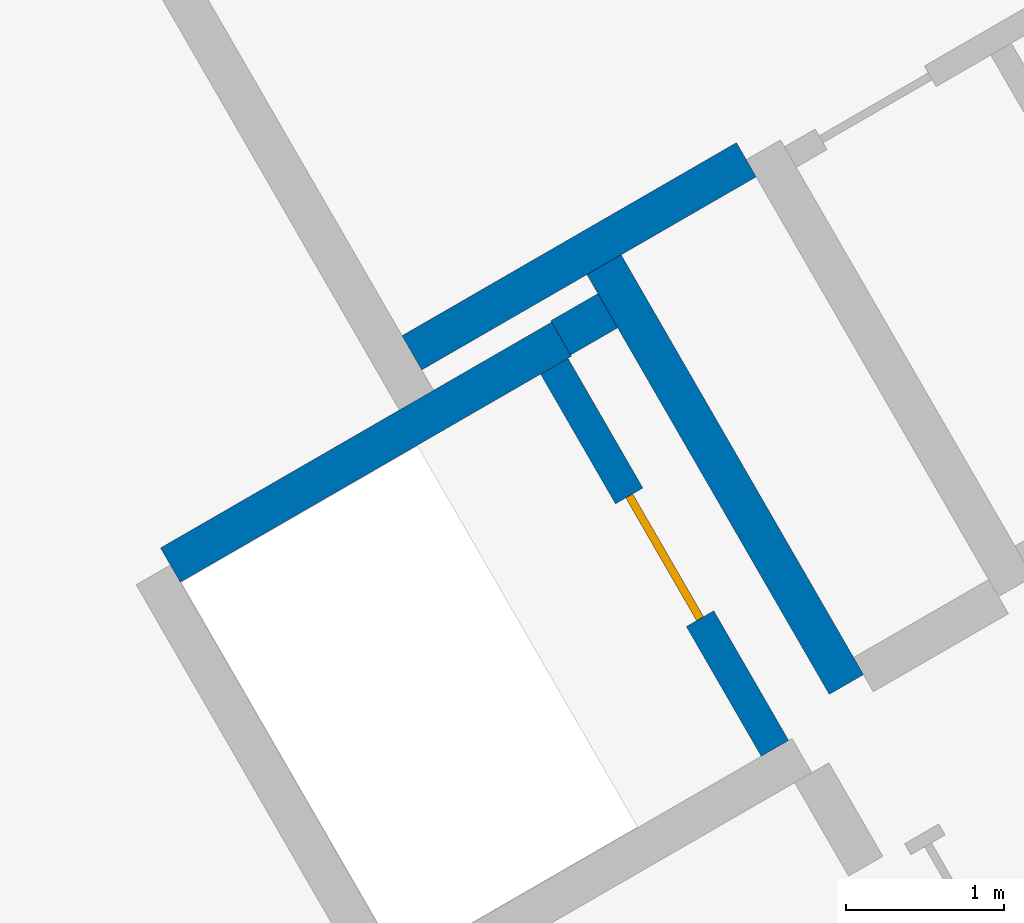
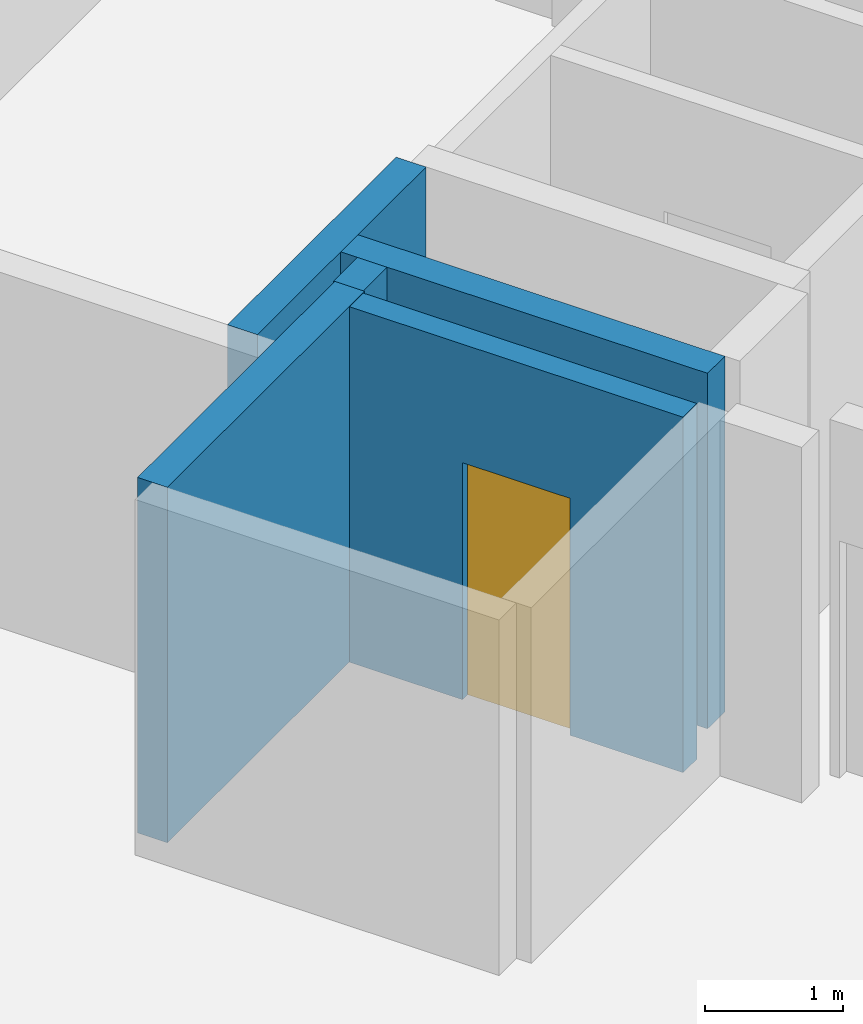
# One storey, part 7 of 37: 5 walls, 1 door, 1 opening.
"""IFC4 building model written with IfcOpenShell, lengths in metres."""

from ifc_helpers import new_model, si_unit, direction, frame, frame_2d, origin, place, context, subcontext, project, spatial, rectangle, extrude, material, layer, layer_set, type_object, element, fill, save


model = new_model("IFC4")

# Units and contexts
model_context = context("Model", 3, precision=1e-05, world=origin(), true_north=direction((0.0, 1.0)))
body_context = subcontext(model_context, "Body", "Model", "MODEL_VIEW")
ifc_project = project(units=[si_unit("LENGTHUNIT", "METRE"), si_unit("AREAUNIT", "SQUARE_METRE"), si_unit("VOLUMEUNIT", "CUBIC_METRE"), si_unit("PLANEANGLEUNIT", "RADIAN"), si_unit("MASSUNIT", "GRAM", prefix="KILO")], contexts=[model_context])

# Site, building, storey
site_placement = place(None, origin())
site = spatial("IfcSite", under=ifc_project, at=site_placement, CompositionType="ELEMENT")
building_placement = place(site_placement, origin())
building = spatial("IfcBuilding", under=site, at=building_placement, Name="Tamra Quay Hotel Tower", CompositionType="ELEMENT")
storey_placement = place(building_placement, frame((0.0, 0.0, -3.60009765625)))
storey = spatial("IfcBuildingStorey", under=building, at=storey_placement, Name="B1", CompositionType="ELEMENT", Elevation=-3.60009765625)

# Wall, opening, door
ifc_material_1 = material(Name="Concrete M70", Category="concrete")
ifc_layer_1 = layer(ifc_material_1, 0.199951171875)
ifc_layer_set_1 = layer_set([ifc_layer_1], Name="Concrete M70 core wall 200")
wall_type_1 = type_object("IfcWallType", Name="Concrete M70 core wall 200", PredefinedType="SHEAR", material=ifc_layer_set_1)
wall_1_placement = place(storey_placement, frame((5.50341796875, -19.352294921875, 0.0), z_axis=(0.0, 0.0, 1.0), x_axis=(-0.499986818241, 0.866033014143, 0.0)))
wall_1 = element("IfcWall", 1, at=wall_1_placement, inside=storey, type_object=wall_type_1, Name="CW2", PredefinedType="SHEAR", context=body_context, shape_type="SweptSolid", body=[
    extrude(rectangle(XDim=2.7978515625, YDim=0.199951171875, at=frame_2d((1.39892578125, 0.0))), origin(), (0.0, 0.0, 1.0), 3.150146484375),
])
opening_placement = place(wall_1_placement, frame((0.948974609375, 0.0, 0.0)))
opening = element("IfcOpeningElement", 2, at=opening_placement, cuts=wall_1, Name="Opening D1", PredefinedType="OPENING", context=body_context, shape_type="SweptSolid", body=[
    extrude(rectangle(XDim=0.89990234375, YDim=2.10009765625, at=frame_2d((0.449951171875, 1.050048828125))), frame((0.0, 0.10986328125, 0.0), z_axis=(0.0, -1.0, 0.0), x_axis=(1.0, 0.0, 0.0)), (0.0, 0.0, 1.0), 0.219970703125),
])
ifc_material_2 = material(Name="Core door D1 900x2100 RH")
door_type = type_object("IfcDoorType", Name="Core door D1 900x2100 RH", OperationType="NOTDEFINED", PredefinedType="DOOR", material=ifc_material_2)
door_placement = place(opening_placement, origin())
door = element("IfcDoor", 3, at=door_placement, inside=storey, type_object=door_type, Name="D1", OperationType="SINGLE_SWING_RIGHT", OverallHeight=2.10009765625, OverallWidth=0.89990234375, PredefinedType="DOOR", context=body_context, shape_type="SweptSolid", body=[
    extrude(rectangle(XDim=0.89990234375, YDim=2.10009765625, at=frame_2d((0.449951171875, 1.050048828125))), frame((0.0, 0.02490234375, 0.0), z_axis=(0.0, -1.0, 0.0), x_axis=(1.0, 0.0, 0.0)), (0.0, 0.0, 1.0), 0.050048828125),
])
fill(opening, door)

# Walls
ifc_layer_2 = layer(ifc_material_1, 0.25)
ifc_layer_set_2 = layer_set([ifc_layer_2], Name="Concrete M70 core wall 250")
wall_type_2 = type_object("IfcWallType", Name="Concrete M70 core wall 250", PredefinedType="SHEAR", material=ifc_layer_set_2)
wall_2_placement = place(storey_placement, frame((1.6689453125, -18.189697265625, 0.0), z_axis=(0.0, 0.0, 1.0), x_axis=(0.866042235819, 0.499970844928, 0.0)))
element("IfcWall", 4, at=wall_2_placement, inside=storey, type_object=wall_type_2, Name="CW1", PredefinedType="SHEAR", context=body_context, shape_type="SweptSolid", body=[
    extrude(rectangle(XDim=2.864501953125, YDim=0.25, at=frame_2d((1.43212890625, 0.0))), origin(), (0.0, 0.0, 1.0), 3.150146484375),
])
wall_3_placement = place(storey_placement, frame((4.414306640625, -16.275634765625, 0.0), z_axis=(0.0, 0.0, 1.0), x_axis=(0.500003324108, -0.866023484601, 0.0)))
element("IfcWall", 5, at=wall_3_placement, inside=storey, type_object=wall_type_2, Name="CW1", PredefinedType="SHEAR", context=body_context, shape_type="SweptSolid", body=[
    extrude(rectangle(XDim=3.0849609375, YDim=0.25, at=frame_2d((1.54248046875, 0.0))), origin(), (0.0, 0.0, 1.0), 3.150146484375),
])
wall_4_placement = place(storey_placement, frame((5.322021484375, -15.618896484375, 0.0), z_axis=(0.0, 0.0, 1.0), x_axis=(-0.866026229868, -0.499998569178, 0.0)))
element("IfcWall", 6, at=wall_4_placement, inside=storey, type_object=wall_type_2, Name="CW1", PredefinedType="SHEAR", context=body_context, shape_type="SweptSolid", body=[
    extrude(rectangle(XDim=2.44921875, YDim=0.25, at=frame_2d((1.224609375, 0.0))), origin(), (0.0, 0.0, 1.0), 3.150146484375),
])
wall_5_placement = place(storey_placement, frame((4.144775390625, -16.748779296875, 0.0), z_axis=(0.0, 0.0, 1.0), x_axis=(0.866185586049, 0.49972245349, 0.0)))
element("IfcWall", 7, at=wall_5_placement, inside=storey, type_object=wall_type_2, Name="CW1", PredefinedType="SHEAR", context=body_context, shape_type="SweptSolid", body=[
    extrude(rectangle(XDim=0.344482421875, YDim=0.25, at=frame_2d((0.17236328125, 0.0))), origin(), (0.0, 0.0, 1.0), 3.150146484375),
])

save(model, "model.ifc")
